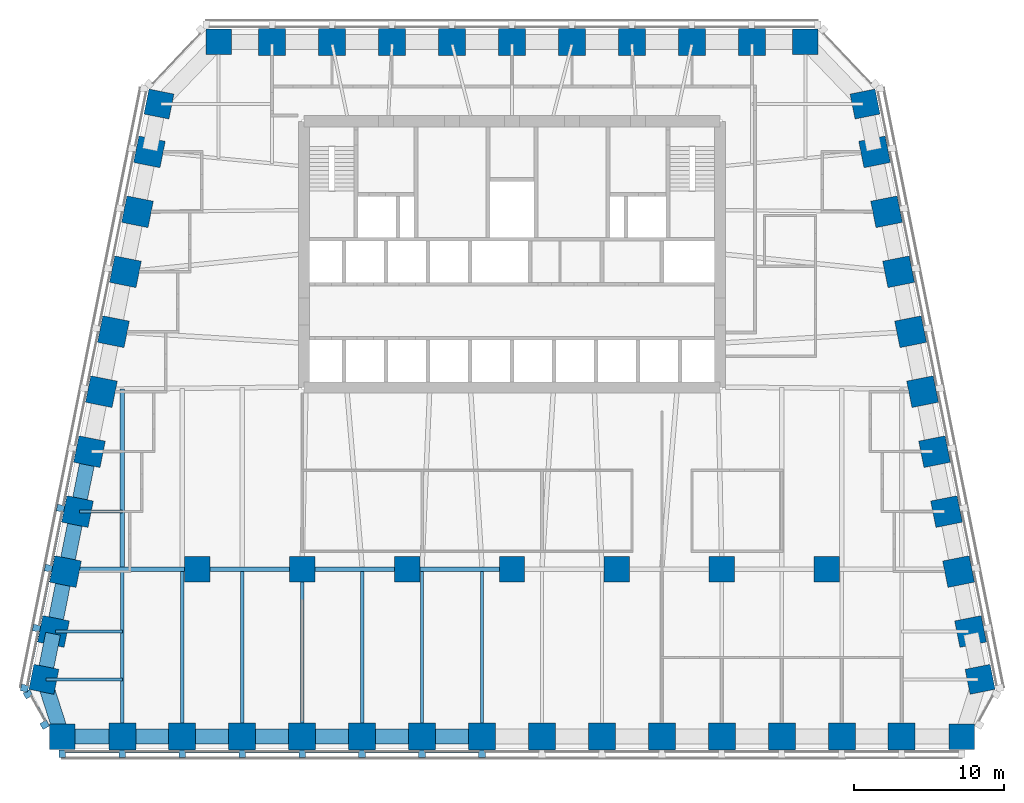
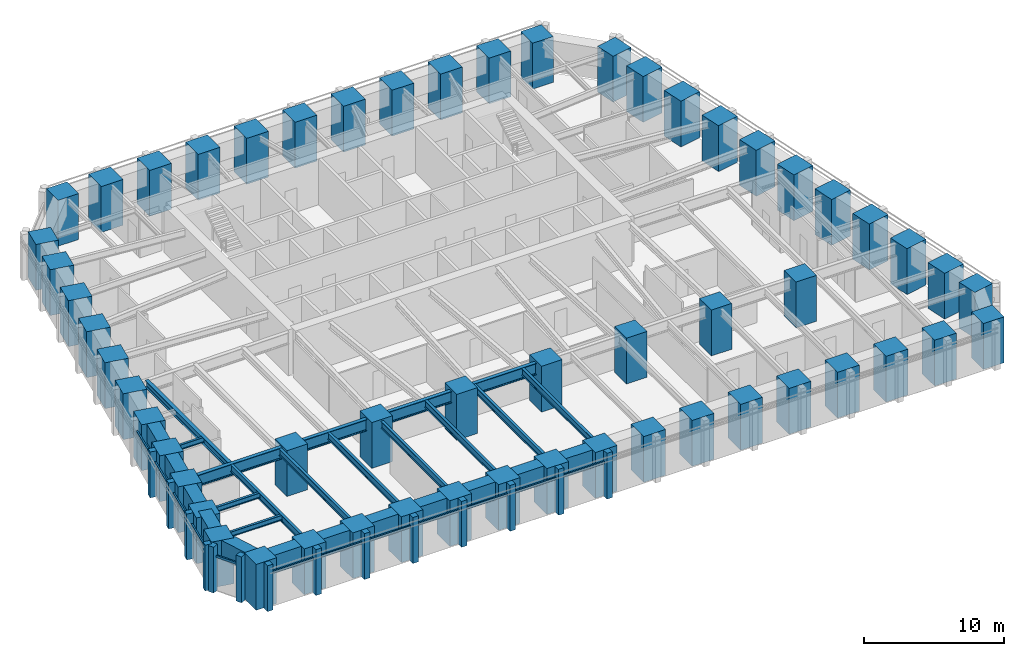
# One storey, part 1 of 10: 56 columns, 27 beams, 26 members, 3 elements without a shape of their own.
"""IFC4 building model written with IfcOpenShell, lengths in metres."""

from ifc_helpers import new_model, si_unit, direction, frame, origin, origin_2d, place, context, subcontext, project, spatial, rectangle, i_section, extrude, material, material_profile, profile_set, type_object, element, aggregate, save


model = new_model("IFC4")

# Units and contexts
model_context = context("Model", 3, precision=1e-05, world=origin(), true_north=direction((0.0, 1.0)))
body_context = subcontext(model_context, "Body", "Model", "MODEL_VIEW")
ifc_project = project(units=[si_unit("LENGTHUNIT", "METRE"), si_unit("AREAUNIT", "SQUARE_METRE"), si_unit("VOLUMEUNIT", "CUBIC_METRE"), si_unit("PLANEANGLEUNIT", "RADIAN"), si_unit("MASSUNIT", "GRAM", prefix="KILO")], contexts=[model_context])

# Site, building, storey
site_placement = place(None, origin())
site = spatial("IfcSite", under=ifc_project, at=site_placement, CompositionType="ELEMENT")
building_placement = place(site_placement, origin())
building = spatial("IfcBuilding", under=site, at=building_placement, Name="Isbrekke Arena Tower", CompositionType="ELEMENT")
storey_placement = place(building_placement, frame((0.0, 0.0, 159.0)))
storey = spatial("IfcBuildingStorey", under=building, at=storey_placement, Name="L36", CompositionType="ELEMENT", Elevation=159.0)

# Columns
ifc_material_1 = material(Name="Concrete B80 (C80/95)", Category="concrete")
ifc_material_profile_1 = material_profile(ifc_material_1, rectangle(XDim=1.699951171875, YDim=1.699951171875, at=origin_2d()), Name="RC 1700x1700")
ifc_profile_set_1 = profile_set([ifc_material_profile_1], Name="Concrete B80 (C80/95)")
column_type_1 = type_object("IfcColumnType", Name="C12 RC 1700 x 1700", PredefinedType="COLUMN", material=ifc_profile_set_1)
for number, where, z_axis, x_axis, name in (
    (1, (-21.0, -6.0, 0.0), (0.0, 0.0, 1.0), (1.0, 0.0, 0.0), "C12 I01"),
    (2, (-14.0, -6.0, 0.0), (0.0, 0.0, 1.0), (1.0, 0.0, 0.0), "C12 I02"),
    (3, (-7.0, -6.0, 0.0), (0.0, 0.0, 1.0), (1.0, 0.0, 0.0), "C12 I03"),
    (4, (0.0, -6.0, 0.0), (0.0, 0.0, 1.0), (1.0, 0.0, 0.0), "C12 I04"),
    (5, (7.0, -6.0, 0.0), (0.0, 0.0, 1.0), (1.0, 0.0, 0.0), "C12 I05"),
    (6, (14.0, -6.0, 0.0), (0.0, 0.0, 1.0), (1.0, 0.0, 0.0), "C12 I06"),
    (7, (21.0, -6.0, 0.0), (0.0, 0.0, 1.0), (1.0, 0.0, 0.0), "C12 I07"),
):
    element("IfcColumn", number, at=place(storey_placement, frame(where, z_axis=z_axis, x_axis=x_axis)), inside=storey, type_object=column_type_1, Name=name, PredefinedType="COLUMN", context=body_context, shape_type="SweptSolid", body=[
        extrude(rectangle(XDim=1.699951171875, YDim=1.699951171875, at=origin_2d()), origin(), (0.0, 0.0, 1.0), 4.0),
    ])
ifc_material_2 = material(Name="Concrete B80 (C80/95)", Category="concrete")
ifc_material_profile_2 = material_profile(ifc_material_2, rectangle(XDim=1.800048828125, YDim=1.800048828125, at=origin_2d()), Name="RC 1800x1800")
ifc_profile_set_2 = profile_set([ifc_material_profile_2], Name="Concrete B80 (C80/95)")
column_type_2 = type_object("IfcColumnType", Name="C3 RC 1800 x 1800", PredefinedType="COLUMN", material=ifc_profile_set_2)
for number, where, z_axis, x_axis, name in (
    (8, (-26.0, -17.175048828125, 0.0), (0.0, 0.0, 1.0), (1.0, 0.0, 0.0), "C3 S02"),
    (9, (-22.0, -17.175048828125, 0.0), (0.0, 0.0, 1.0), (1.0, 0.0, 0.0), "C3 S03"),
    (10, (-18.0, -17.175048828125, 0.0), (0.0, 0.0, 1.0), (1.0, 0.0, 0.0), "C3 S04"),
    (11, (-14.0, -17.175048828125, 0.0), (0.0, 0.0, 1.0), (1.0, 0.0, 0.0), "C3 S05"),
    (12, (-10.0, -17.175048828125, 0.0), (0.0, 0.0, 1.0), (1.0, 0.0, 0.0), "C3 S06"),
    (13, (-6.0, -17.175048828125, 0.0), (0.0, 0.0, 1.0), (1.0, 0.0, 0.0), "C3 S07"),
    (14, (-2.0, -17.175048828125, 0.0), (0.0, 0.0, 1.0), (1.0, 0.0, 0.0), "C3 S08"),
    (15, (2.0, -17.175048828125, 0.0), (0.0, 0.0, 1.0), (1.0, 0.0, 0.0), "C3 S09"),
    (16, (6.0, -17.175048828125, 0.0), (0.0, 0.0, 1.0), (1.0, 0.0, 0.0), "C3 S10"),
    (17, (10.0, -17.175048828125, 0.0), (0.0, 0.0, 1.0), (1.0, 0.0, 0.0), "C3 S11"),
    (18, (14.0, -17.175048828125, 0.0), (0.0, 0.0, 1.0), (1.0, 0.0, 0.0), "C3 S12"),
    (19, (18.0, -17.175048828125, 0.0), (0.0, 0.0, 1.0), (1.0, 0.0, 0.0), "C3 S13"),
    (20, (22.0, -17.175048828125, 0.0), (0.0, 0.0, 1.0), (1.0, 0.0, 0.0), "C3 S14"),
    (21, (26.0, -17.175048828125, 0.0), (0.0, 0.0, 1.0), (1.0, 0.0, 0.0), "C3 S15"),
    (22, (30.591064453125, -10.161865234375, 0.0), (0.0, 0.0, 1.0), (-0.196116135138, 0.980580675691, 0.0), "C3 E02"),
    (23, (29.791015625, -6.161865234375, 0.0), (0.0, 0.0, 1.0), (-0.196116135138, 0.980580675691, 0.0), "C3 E03"),
    (24, (28.990966796875, -2.161865234375, 0.0), (0.0, 0.0, 1.0), (-0.196116135138, 0.980580675691, 0.0), "C3 E04"),
    (25, (28.19091796875, 1.838134765625, 0.0), (0.0, 0.0, 1.0), (-0.196116135138, 0.980580675691, 0.0), "C3 E05"),
    (26, (27.39111328125, 5.838134765625, 0.0), (0.0, 0.0, 1.0), (-0.196116135138, 0.980580675691, 0.0), "C3 E06"),
    (27, (26.591064453125, 9.838134765625, 0.0), (0.0, 0.0, 1.0), (-0.196116135138, 0.980580675691, 0.0), "C3 E07"),
    (28, (25.791015625, 13.838134765625, 0.0), (0.0, 0.0, 1.0), (-0.196116135138, 0.980580675691, 0.0), "C3 E08"),
    (29, (24.990966796875, 17.838134765625, 0.0), (0.0, 0.0, 1.0), (-0.196116135138, 0.980580675691, 0.0), "C3 E09"),
    (30, (24.19091796875, 21.838134765625, 0.0), (0.0, 0.0, 1.0), (-0.196116135138, 0.980580675691, 0.0), "C3 E10"),
    (31, (16.0, 29.175048828125, 0.0), (0.0, 0.0, 1.0), (-1.0, 0.0, 0.0), "C3 N02"),
    (32, (12.0, 29.175048828125, 0.0), (0.0, 0.0, 1.0), (-1.0, 0.0, 0.0), "C3 N03"),
    (33, (8.0, 29.175048828125, 0.0), (0.0, 0.0, 1.0), (-1.0, 0.0, 0.0), "C3 N04"),
    (34, (4.0, 29.175048828125, 0.0), (0.0, 0.0, 1.0), (-1.0, 0.0, 0.0), "C3 N05"),
    (35, (0.0, 29.175048828125, 0.0), (0.0, 0.0, 1.0), (-1.0, 0.0, 0.0), "C3 N06"),
    (36, (-4.0, 29.175048828125, 0.0), (0.0, 0.0, 1.0), (-1.0, 0.0, 0.0), "C3 N07"),
    (37, (-8.0, 29.175048828125, 0.0), (0.0, 0.0, 1.0), (-1.0, 0.0, 0.0), "C3 N08"),
    (38, (-12.0, 29.175048828125, 0.0), (0.0, 0.0, 1.0), (-1.0, 0.0, 0.0), "C3 N09"),
    (39, (-16.0, 29.175048828125, 0.0), (0.0, 0.0, 1.0), (-1.0, 0.0, 0.0), "C3 N10"),
    (40, (-24.19091796875, 21.838134765625, 0.0), (0.0, 0.0, 1.0), (-0.196116135138, -0.980580675691, 0.0), "C3 W02"),
    (41, (-24.990966796875, 17.838134765625, 0.0), (0.0, 0.0, 1.0), (-0.196116135138, -0.980580675691, 0.0), "C3 W03"),
    (42, (-25.791015625, 13.838134765625, 0.0), (0.0, 0.0, 1.0), (-0.196116135138, -0.980580675691, 0.0), "C3 W04"),
    (43, (-26.591064453125, 9.838134765625, 0.0), (0.0, 0.0, 1.0), (-0.196116135138, -0.980580675691, 0.0), "C3 W05"),
    (44, (-27.39111328125, 5.838134765625, 0.0), (0.0, 0.0, 1.0), (-0.196116135138, -0.980580675691, 0.0), "C3 W06"),
    (45, (-28.19091796875, 1.838134765625, 0.0), (0.0, 0.0, 1.0), (-0.196116135138, -0.980580675691, 0.0), "C3 W07"),
    (46, (-28.990966796875, -2.161865234375, 0.0), (0.0, 0.0, 1.0), (-0.196116135138, -0.980580675691, 0.0), "C3 W08"),
    (47, (-29.791015625, -6.161865234375, 0.0), (0.0, 0.0, 1.0), (-0.196116135138, -0.980580675691, 0.0), "C3 W09"),
    (48, (-30.591064453125, -10.161865234375, 0.0), (0.0, 0.0, 1.0), (-0.196116135138, -0.980580675691, 0.0), "C3 W10"),
):
    element("IfcColumn", number, at=place(storey_placement, frame(where, z_axis=z_axis, x_axis=x_axis)), inside=storey, type_object=column_type_2, Name=name, PredefinedType="COLUMN", context=body_context, shape_type="SweptSolid", body=[
        extrude(rectangle(XDim=1.800048828125, YDim=1.800048828125, at=origin_2d()), origin(), (0.0, 0.0, 1.0), 4.0),
    ])
ifc_material_3 = material(Name="Concrete B80 (C80/95)", Category="concrete")
ifc_material_profile_3 = material_profile(ifc_material_3, rectangle(XDim=1.699951171875, YDim=1.699951171875, at=origin_2d()), Name="RC 1700x1700")
ifc_profile_set_3 = profile_set([ifc_material_profile_3], Name="Concrete B80 (C80/95)")
column_type_3 = type_object("IfcColumnType", Name="C7 RC 1700 x 1700", PredefinedType="COLUMN", material=ifc_profile_set_3)
for number, where, z_axis, x_axis, name in (
    (49, (-30.0, -17.175048828125, 0.0), (0.0, 0.0, 1.0), (1.0, 0.0, 0.0), "C7 S01"),
    (50, (30.0, -17.175048828125, 0.0), (0.0, 0.0, 1.0), (1.0, 0.0, 0.0), "C7 S16"),
    (51, (31.229248046875, -13.352783203125, 0.0), (0.0, 0.0, 1.0), (-0.196116135138, 0.980580675691, 0.0), "C7 E01"),
    (52, (23.552734375, 25.029296875, 0.0), (0.0, 0.0, 1.0), (-0.196116135138, 0.980580675691, 0.0), "C7 E11"),
    (53, (19.574951171875, 29.175048828125, 0.0), (0.0, 0.0, 1.0), (-1.0, 0.0, 0.0), "C7 N01"),
    (54, (-19.574951171875, 29.175048828125, 0.0), (0.0, 0.0, 1.0), (-1.0, 0.0, 0.0), "C7 N11"),
    (55, (-23.552734375, 25.029296875, 0.0), (0.0, 0.0, 1.0), (-0.196116135138, -0.980580675691, 0.0), "C7 W01"),
    (56, (-31.229248046875, -13.352783203125, 0.0), (0.0, 0.0, 1.0), (-0.196116135138, -0.980580675691, 0.0), "C7 W11"),
):
    element("IfcColumn", number, at=place(storey_placement, frame(where, z_axis=z_axis, x_axis=x_axis)), inside=storey, type_object=column_type_3, Name=name, PredefinedType="COLUMN", context=body_context, shape_type="SweptSolid", body=[
        extrude(rectangle(XDim=1.699951171875, YDim=1.699951171875, at=origin_2d()), origin(), (0.0, 0.0, 1.0), 4.0),
    ])

# Beams
ifc_material_4 = material(Name="Steel S355", Category="steel")
ifc_material_profile_4 = material_profile(ifc_material_4, i_section(OverallWidth=0.219970703125, OverallDepth=0.60009765625, WebThickness=0.011962890625, FlangeThickness=0.01904296875, FilletRadius=0.02392578125, at=origin_2d()), Name="IPE 600")
ifc_profile_set_4 = profile_set([ifc_material_profile_4], Name="Steel S355")
beam_type_1 = type_object("IfcBeamType", Name="B1 IPE 600", PredefinedType="BEAM", material=ifc_profile_set_4)
for number, where, z_axis, x_axis, name in (
    (57, (-26.0, -17.02490234375, 3.550048828125), (0.0, 1.0, 0.0), (-1.0, 0.0, 0.0), "B1 beam S-S02 L36"),
    (58, (-22.0, -17.02490234375, 3.550048828125), (0.0, 1.0, 0.0), (-1.0, 0.0, 0.0), "B1 beam S-S03 L36"),
    (59, (-18.0, -17.02490234375, 3.550048828125), (0.0, 1.0, 0.0), (-1.0, 0.0, 0.0), "B1 beam S-S04 L36"),
):
    element("IfcBeam", number, at=place(storey_placement, frame(where, z_axis=z_axis, x_axis=x_axis)), inside=storey, type_object=beam_type_1, Name=name, PredefinedType="BEAM", context=body_context, shape_type="SweptSolid", body=[
        extrude(i_section(OverallWidth=0.219970703125, OverallDepth=0.60009765625, WebThickness=0.011962890625, FlangeThickness=0.01904296875, FilletRadius=0.02392578125, at=origin_2d()), origin(), (0.0, 0.0, 1.0), 10.8740234375),
    ])
beam_1_placement = place(storey_placement, frame((-14.0, -17.02490234375, 3.550048828125), z_axis=(0.0, 1.0, 0.0), x_axis=(-1.0, 0.0, 0.0)))
element("IfcBeam", 60, at=beam_1_placement, inside=storey, type_object=beam_type_1, Name="B1 beam S-S05 L36", PredefinedType="BEAM", context=body_context, shape_type="SweptSolid", body=[
    extrude(i_section(OverallWidth=0.219970703125, OverallDepth=0.60009765625, WebThickness=0.011962890625, FlangeThickness=0.01904296875, FilletRadius=0.02392578125, at=origin_2d()), origin(), (0.0, 0.0, 1.0), 10.875),
])
for number, where, z_axis, x_axis, name in (
    (61, (-10.0, -17.02490234375, 3.550048828125), (0.0, 1.0, 0.0), (-1.0, 0.0, 0.0), "B1 beam S-S06 L36"),
    (62, (-6.0, -17.02490234375, 3.550048828125), (0.0, 1.0, 0.0), (-1.0, 0.0, 0.0), "B1 beam S-S07 L36"),
    (63, (-2.0, -17.02490234375, 3.550048828125), (0.0, 1.0, 0.0), (-1.0, 0.0, 0.0), "B1 beam S-S08 L36"),
):
    element("IfcBeam", number, at=place(storey_placement, frame(where, z_axis=z_axis, x_axis=x_axis)), inside=storey, type_object=beam_type_1, Name=name, PredefinedType="BEAM", context=body_context, shape_type="SweptSolid", body=[
        extrude(i_section(OverallWidth=0.219970703125, OverallDepth=0.60009765625, WebThickness=0.011962890625, FlangeThickness=0.01904296875, FilletRadius=0.02392578125, at=origin_2d()), origin(), (0.0, 0.0, 1.0), 10.8740234375),
    ])
ifc_material_5 = material(Name="Steel S355", Category="steel")
ifc_material_profile_5 = material_profile(ifc_material_5, i_section(OverallWidth=0.18994140625, OverallDepth=0.449951171875, WebThickness=0.009521484375, FlangeThickness=0.0146484375, FilletRadius=0.02099609375, at=origin_2d()), Name="IPE 450")
ifc_profile_set_5 = profile_set([ifc_material_profile_5], Name="Steel S355")
beam_type_2 = type_object("IfcBeamType", Name="B2 IPE 450", PredefinedType="BEAM", material=ifc_profile_set_5)
beam_2_placement = place(storey_placement, frame((-28.841064453125, -2.161865234375, 3.625), z_axis=(1.0, 0.0, 0.0), x_axis=(0.0, 1.0, 0.0)))
element("IfcBeam", 64, at=beam_2_placement, inside=storey, type_object=beam_type_2, Name="B2 beam E-W08 L36", PredefinedType="BEAM", context=body_context, shape_type="SweptSolid", body=[
    extrude(i_section(OverallWidth=0.18994140625, OverallDepth=0.449951171875, WebThickness=0.009521484375, FlangeThickness=0.0146484375, FilletRadius=0.02099609375, at=origin_2d()), origin(), (0.0, 0.0, 1.0), 2.841064453125),
])
beam_3_placement = place(storey_placement, frame((-30.44091796875, -10.161865234375, 3.625), z_axis=(1.0, 0.0, 0.0), x_axis=(0.0, 1.0, 0.0)))
element("IfcBeam", 65, at=beam_3_placement, inside=storey, type_object=beam_type_2, Name="B2 beam E-W10 L36", PredefinedType="BEAM", context=body_context, shape_type="SweptSolid", body=[
    extrude(i_section(OverallWidth=0.18994140625, OverallDepth=0.449951171875, WebThickness=0.009521484375, FlangeThickness=0.0146484375, FilletRadius=0.02099609375, at=origin_2d()), origin(), (0.0, 0.0, 1.0), 4.44091796875),
])
beam_4_placement = place(storey_placement, frame((-31.079345703125, -13.352783203125, 3.625), z_axis=(1.0, 0.0, 0.0), x_axis=(0.0, 1.0, 0.0)))
element("IfcBeam", 66, at=beam_4_placement, inside=storey, type_object=beam_type_2, Name="B2 beam E-W11 L36", PredefinedType="BEAM", context=body_context, shape_type="SweptSolid", body=[
    extrude(i_section(OverallWidth=0.18994140625, OverallDepth=0.449951171875, WebThickness=0.009521484375, FlangeThickness=0.0146484375, FilletRadius=0.02099609375, at=origin_2d()), origin(), (0.0, 0.0, 1.0), 5.079345703125),
])
ifc_material_6 = material(Name="Steel S355", Category="steel")
ifc_material_profile_6 = material_profile(ifc_material_6, i_section(OverallWidth=0.300048828125, OverallDepth=0.60009765625, WebThickness=0.015380859375, FlangeThickness=0.030029296875, FilletRadius=0.027099609375, at=origin_2d()), Name="HEB 600")
ifc_profile_set_6 = profile_set([ifc_material_profile_6], Name="Steel S355")
beam_type_3 = type_object("IfcBeamType", Name="B7 HEB 600", PredefinedType="BEAM", material=ifc_profile_set_6)
beam_5_placement = place(storey_placement, frame((-26.0, -5.84912109375, 3.550048828125), z_axis=(0.0, 1.0, 0.0), x_axis=(-1.0, 0.0, 0.0)))
element("IfcBeam", 67, at=beam_5_placement, inside=storey, type_object=beam_type_3, Name="B7 beam C-M01 L36", PredefinedType="BEAM", context=body_context, shape_type="SweptSolid", body=[
    extrude(i_section(OverallWidth=0.300048828125, OverallDepth=0.60009765625, WebThickness=0.015380859375, FlangeThickness=0.030029296875, FilletRadius=0.027099609375, at=origin_2d()), origin(), (0.0, 0.0, 1.0), 11.864990234375),
])

# Curtain wall, members
ifc_material_7 = material(Name="Glazed aluminium curtain wall", Category="aluminium")
curtain_wall_type = type_object("IfcCurtainWallType", Name="CWM TOWER CURTAIN WALL MID ZONE", PredefinedType="USERDEFINED", material=ifc_material_7)
curtain_wall_1_placement = place(storey_placement, origin())
curtain_wall_1 = element("IfcCurtainWall", 68, at=curtain_wall_1_placement, inside=storey, type_object=curtain_wall_type, Name="CWM curtain wall L36-S", ObjectType="TOWER CURTAIN WALL MID ZONE", PredefinedType="USERDEFINED")
ifc_material_8 = material(Name="Aluminium mullion, pale brick slip cladding", Category="masonry")
ifc_material_profile_7 = material_profile(ifc_material_8, rectangle(XDim=0.449951171875, YDim=0.5, at=origin_2d()), Name="PIER 450X500")
ifc_profile_set_7 = profile_set([ifc_material_profile_7], Name="Aluminium mullion, pale brick slip cladding")
member_type_1 = type_object("IfcMemberType", Name="CWM-M PIER MULLION 450 x 500", PredefinedType="MULLION", material=ifc_profile_set_7)
member_1_placement = place(storey_placement, frame((-30.0, -18.324951171875, 0.0), z_axis=(0.0, 0.0, 1.0), x_axis=(1.0, 0.0, 0.0)))
member_1 = element("IfcMember", 69, at=member_1_placement, type_object=member_type_1, Name="CWM-M mullion 1", PredefinedType="MULLION", context=body_context, shape_type="SweptSolid", body=[
    extrude(rectangle(XDim=0.449951171875, YDim=0.5, at=origin_2d()), origin(), (0.0, 0.0, 1.0), 4.0),
])
member_2_placement = place(storey_placement, frame((-26.0, -18.324951171875, 0.0), z_axis=(0.0, 0.0, 1.0), x_axis=(1.0, 0.0, 0.0)))
member_2 = element("IfcMember", 70, at=member_2_placement, type_object=member_type_1, Name="CWM-M mullion 2", PredefinedType="MULLION", context=body_context, shape_type="SweptSolid", body=[
    extrude(rectangle(XDim=0.449951171875, YDim=0.5, at=origin_2d()), origin(), (0.0, 0.0, 1.0), 4.0),
])
member_3_placement = place(storey_placement, frame((-22.0, -18.324951171875, 0.0), z_axis=(0.0, 0.0, 1.0), x_axis=(1.0, 0.0, 0.0)))
member_3 = element("IfcMember", 71, at=member_3_placement, type_object=member_type_1, Name="CWM-M mullion 3", PredefinedType="MULLION", context=body_context, shape_type="SweptSolid", body=[
    extrude(rectangle(XDim=0.449951171875, YDim=0.5, at=origin_2d()), origin(), (0.0, 0.0, 1.0), 4.0),
])
member_4_placement = place(storey_placement, frame((-18.0, -18.324951171875, 0.0), z_axis=(0.0, 0.0, 1.0), x_axis=(1.0, 0.0, 0.0)))
member_4 = element("IfcMember", 72, at=member_4_placement, type_object=member_type_1, Name="CWM-M mullion 4", PredefinedType="MULLION", context=body_context, shape_type="SweptSolid", body=[
    extrude(rectangle(XDim=0.449951171875, YDim=0.5, at=origin_2d()), origin(), (0.0, 0.0, 1.0), 4.0),
])
member_5_placement = place(storey_placement, frame((-14.0, -18.324951171875, 0.0), z_axis=(0.0, 0.0, 1.0), x_axis=(1.0, 0.0, 0.0)))
member_5 = element("IfcMember", 73, at=member_5_placement, type_object=member_type_1, Name="CWM-M mullion 5", PredefinedType="MULLION", context=body_context, shape_type="SweptSolid", body=[
    extrude(rectangle(XDim=0.449951171875, YDim=0.5, at=origin_2d()), origin(), (0.0, 0.0, 1.0), 4.0),
])
member_6_placement = place(storey_placement, frame((-10.0, -18.324951171875, 0.0), z_axis=(0.0, 0.0, 1.0), x_axis=(1.0, 0.0, 0.0)))
member_6 = element("IfcMember", 74, at=member_6_placement, type_object=member_type_1, Name="CWM-M mullion 6", PredefinedType="MULLION", context=body_context, shape_type="SweptSolid", body=[
    extrude(rectangle(XDim=0.449951171875, YDim=0.5, at=origin_2d()), origin(), (0.0, 0.0, 1.0), 4.0),
])
member_7_placement = place(storey_placement, frame((-6.0, -18.324951171875, 0.0), z_axis=(0.0, 0.0, 1.0), x_axis=(1.0, 0.0, 0.0)))
member_7 = element("IfcMember", 75, at=member_7_placement, type_object=member_type_1, Name="CWM-M mullion 7", PredefinedType="MULLION", context=body_context, shape_type="SweptSolid", body=[
    extrude(rectangle(XDim=0.449951171875, YDim=0.5, at=origin_2d()), origin(), (0.0, 0.0, 1.0), 4.0),
])
member_8_placement = place(storey_placement, frame((-2.0, -18.324951171875, 0.0), z_axis=(0.0, 0.0, 1.0), x_axis=(1.0, 0.0, 0.0)))
member_8 = element("IfcMember", 76, at=member_8_placement, type_object=member_type_1, Name="CWM-M mullion 8", PredefinedType="MULLION", context=body_context, shape_type="SweptSolid", body=[
    extrude(rectangle(XDim=0.449951171875, YDim=0.5, at=origin_2d()), origin(), (0.0, 0.0, 1.0), 4.0),
])

curtain_wall_2_placement = place(storey_placement, origin())
curtain_wall_2 = element("IfcCurtainWall", 77, at=curtain_wall_2_placement, inside=storey, type_object=curtain_wall_type, Name="CWM curtain wall L36-W", ObjectType="TOWER CURTAIN WALL MID ZONE", PredefinedType="USERDEFINED")
member_9_placement = place(storey_placement, frame((-30.11865234375, -1.936279296875, 0.0), z_axis=(0.0, 0.0, 1.0), x_axis=(-0.196116135138, -0.980580675691, 0.0)))
member_9 = element("IfcMember", 78, at=member_9_placement, type_object=member_type_1, Name="CWM-M mullion 8", PredefinedType="MULLION", context=body_context, shape_type="SweptSolid", body=[
    extrude(rectangle(XDim=0.449951171875, YDim=0.5, at=origin_2d()), origin(), (0.0, 0.0, 1.0), 4.0),
])
member_10_placement = place(storey_placement, frame((-30.918701171875, -5.936279296875, 0.0), z_axis=(0.0, 0.0, 1.0), x_axis=(-0.196116135138, -0.980580675691, 0.0)))
member_10 = element("IfcMember", 79, at=member_10_placement, type_object=member_type_1, Name="CWM-M mullion 9", PredefinedType="MULLION", context=body_context, shape_type="SweptSolid", body=[
    extrude(rectangle(XDim=0.449951171875, YDim=0.5, at=origin_2d()), origin(), (0.0, 0.0, 1.0), 4.0),
])
member_11_placement = place(storey_placement, frame((-31.71875, -9.936279296875, 0.0), z_axis=(0.0, 0.0, 1.0), x_axis=(-0.196116135138, -0.980580675691, 0.0)))
member_11 = element("IfcMember", 80, at=member_11_placement, type_object=member_type_1, Name="CWM-M mullion 10", PredefinedType="MULLION", context=body_context, shape_type="SweptSolid", body=[
    extrude(rectangle(XDim=0.449951171875, YDim=0.5, at=origin_2d()), origin(), (0.0, 0.0, 1.0), 4.0),
])
member_12_placement = place(storey_placement, frame((-32.518798828125, -13.936279296875, 0.0), z_axis=(0.0, 0.0, 1.0), x_axis=(-0.196116135138, -0.980580675691, 0.0)))
member_12 = element("IfcMember", 81, at=member_12_placement, type_object=member_type_1, Name="CWM-M mullion 11", PredefinedType="MULLION", context=body_context, shape_type="SweptSolid", body=[
    extrude(rectangle(XDim=0.449951171875, YDim=0.5, at=origin_2d()), origin(), (0.0, 0.0, 1.0), 4.0),
])

curtain_wall_3_placement = place(storey_placement, origin())
curtain_wall_3 = element("IfcCurtainWall", 82, at=curtain_wall_3_placement, inside=storey, type_object=curtain_wall_type, Name="CWM curtain wall L36-WS", ObjectType="TOWER CURTAIN WALL MID ZONE", PredefinedType="USERDEFINED")
member_13_placement = place(storey_placement, frame((-32.29638671875, -14.34326171875, 0.0), z_axis=(0.0, 0.0, 1.0), x_axis=(0.481918749773, -0.876215908676, 0.0)))
member_13 = element("IfcMember", 83, at=member_13_placement, type_object=member_type_1, Name="CWM-M mullion 1", PredefinedType="MULLION", context=body_context, shape_type="SweptSolid", body=[
    extrude(rectangle(XDim=0.449951171875, YDim=0.5, at=origin_2d()), origin(), (0.0, 0.0, 1.0), 4.0),
])
member_14_placement = place(storey_placement, frame((-31.174560546875, -16.38330078125, 0.0), z_axis=(0.0, 0.0, 1.0), x_axis=(0.481918749773, -0.876215908676, 0.0)))
member_14 = element("IfcMember", 84, at=member_14_placement, type_object=member_type_1, Name="CWM-M mullion 2", PredefinedType="MULLION", context=body_context, shape_type="SweptSolid", body=[
    extrude(rectangle(XDim=0.449951171875, YDim=0.5, at=origin_2d()), origin(), (0.0, 0.0, 1.0), 4.0),
])

# Member
ifc_material_9 = material(Name="Aluminium transom", Category="aluminium")
ifc_material_profile_8 = material_profile(ifc_material_9, rectangle(XDim=0.1201171875, YDim=0.199951171875, at=origin_2d()), Name="TRANSOM 120X200")
ifc_profile_set_8 = profile_set([ifc_material_profile_8], Name="Aluminium transom")
member_type_2 = type_object("IfcMemberType", Name="CWM-T TRANSOM 120 x 200", PredefinedType="USERDEFINED", material=ifc_profile_set_8)
member_15_placement = place(storey_placement, frame((-29.77490234375, -18.175048828125, 3.0), z_axis=(1.0, 0.0, 0.0), x_axis=(0.0, 1.0, 0.0)))
member_15 = element("IfcMember", 85, at=member_15_placement, type_object=member_type_2, Name="CWM-T transom 1", ObjectType="TRANSOM", PredefinedType="USERDEFINED", context=body_context, shape_type="SweptSolid", body=[
    extrude(rectangle(XDim=0.1201171875, YDim=0.199951171875, at=origin_2d()), origin(), (0.0, 0.0, 1.0), 3.5498046875),
])

member_16_placement = place(storey_placement, frame((-25.77490234375, -18.175048828125, 3.0), z_axis=(1.0, 0.0, 0.0), x_axis=(0.0, 1.0, 0.0)))
member_16 = element("IfcMember", 86, at=member_16_placement, type_object=member_type_2, Name="CWM-T transom 2", ObjectType="TRANSOM", PredefinedType="USERDEFINED", context=body_context, shape_type="SweptSolid", body=[
    extrude(rectangle(XDim=0.1201171875, YDim=0.199951171875, at=origin_2d()), origin(), (0.0, 0.0, 1.0), 3.5498046875),
])

member_17_placement = place(storey_placement, frame((-21.77490234375, -18.175048828125, 3.0), z_axis=(1.0, 0.0, 0.0), x_axis=(0.0, 1.0, 0.0)))
member_17 = element("IfcMember", 87, at=member_17_placement, type_object=member_type_2, Name="CWM-T transom 3", ObjectType="TRANSOM", PredefinedType="USERDEFINED", context=body_context, shape_type="SweptSolid", body=[
    extrude(rectangle(XDim=0.1201171875, YDim=0.199951171875, at=origin_2d()), origin(), (0.0, 0.0, 1.0), 3.5498046875),
])

member_18_placement = place(storey_placement, frame((-17.77490234375, -18.175048828125, 3.0), z_axis=(1.0, 0.0, 0.0), x_axis=(0.0, 1.0, 0.0)))
member_18 = element("IfcMember", 88, at=member_18_placement, type_object=member_type_2, Name="CWM-T transom 4", ObjectType="TRANSOM", PredefinedType="USERDEFINED", context=body_context, shape_type="SweptSolid", body=[
    extrude(rectangle(XDim=0.1201171875, YDim=0.199951171875, at=origin_2d()), origin(), (0.0, 0.0, 1.0), 3.5498046875),
])

member_19_placement = place(storey_placement, frame((-13.77490234375, -18.175048828125, 3.0), z_axis=(1.0, 0.0, 0.0), x_axis=(0.0, 1.0, 0.0)))
member_19 = element("IfcMember", 89, at=member_19_placement, type_object=member_type_2, Name="CWM-T transom 5", ObjectType="TRANSOM", PredefinedType="USERDEFINED", context=body_context, shape_type="SweptSolid", body=[
    extrude(rectangle(XDim=0.1201171875, YDim=0.199951171875, at=origin_2d()), origin(), (0.0, 0.0, 1.0), 3.5498046875),
])

member_20_placement = place(storey_placement, frame((-9.77490234375, -18.175048828125, 3.0), z_axis=(1.0, 0.0, 0.0), x_axis=(0.0, 1.0, 0.0)))
member_20 = element("IfcMember", 90, at=member_20_placement, type_object=member_type_2, Name="CWM-T transom 6", ObjectType="TRANSOM", PredefinedType="USERDEFINED", context=body_context, shape_type="SweptSolid", body=[
    extrude(rectangle(XDim=0.1201171875, YDim=0.199951171875, at=origin_2d()), origin(), (0.0, 0.0, 1.0), 3.5498046875),
])

member_21_placement = place(storey_placement, frame((-5.77490234375, -18.175048828125, 3.0), z_axis=(1.0, 0.0, 0.0), x_axis=(0.0, 1.0, 0.0)))
member_21 = element("IfcMember", 91, at=member_21_placement, type_object=member_type_2, Name="CWM-T transom 7", ObjectType="TRANSOM", PredefinedType="USERDEFINED", context=body_context, shape_type="SweptSolid", body=[
    extrude(rectangle(XDim=0.1201171875, YDim=0.199951171875, at=origin_2d()), origin(), (0.0, 0.0, 1.0), 3.5498046875),
])

aggregate(curtain_wall_1, [member_1, member_2, member_3, member_4, member_5, member_6, member_7, member_8, member_15, member_16, member_17, member_18, member_19, member_20, member_21])

member_22_placement = place(storey_placement, frame((-29.2158203125, 1.813720703125, 3.0), z_axis=(-0.196090262229, -0.980585849918, 0.0), x_axis=(0.980585849918, -0.196090262229, 0.0)))
member_22 = element("IfcMember", 92, at=member_22_placement, type_object=member_type_2, Name="CWM-T transom 7", ObjectType="TRANSOM", PredefinedType="USERDEFINED", context=body_context, shape_type="SweptSolid", body=[
    extrude(rectangle(XDim=0.1201171875, YDim=0.199951171875, at=origin_2d()), origin(), (0.0, 0.0, 1.0), 3.62939453125),
])

member_23_placement = place(storey_placement, frame((-30.015625, -2.186279296875, 3.0), z_axis=(-0.196154943734, -0.980572913173, 0.0), x_axis=(0.980572913173, -0.196154943734, 0.0)))
member_23 = element("IfcMember", 93, at=member_23_placement, type_object=member_type_2, Name="CWM-T transom 8", ObjectType="TRANSOM", PredefinedType="USERDEFINED", context=body_context, shape_type="SweptSolid", body=[
    extrude(rectangle(XDim=0.1201171875, YDim=0.199951171875, at=origin_2d()), origin(), (0.0, 0.0, 1.0), 3.62939453125),
])

member_24_placement = place(storey_placement, frame((-30.815673828125, -6.186279296875, 3.0), z_axis=(-0.196154943734, -0.980572913173, 0.0), x_axis=(0.980572913173, -0.196154943734, 0.0)))
member_24 = element("IfcMember", 94, at=member_24_placement, type_object=member_type_2, Name="CWM-T transom 9", ObjectType="TRANSOM", PredefinedType="USERDEFINED", context=body_context, shape_type="SweptSolid", body=[
    extrude(rectangle(XDim=0.1201171875, YDim=0.199951171875, at=origin_2d()), origin(), (0.0, 0.0, 1.0), 3.62939453125),
])

member_25_placement = place(storey_placement, frame((-31.61572265625, -10.186279296875, 3.0), z_axis=(-0.196090262229, -0.980585849918, 0.0), x_axis=(0.980585849918, -0.196090262229, 0.0)))
member_25 = element("IfcMember", 95, at=member_25_placement, type_object=member_type_2, Name="CWM-T transom 10", ObjectType="TRANSOM", PredefinedType="USERDEFINED", context=body_context, shape_type="SweptSolid", body=[
    extrude(rectangle(XDim=0.1201171875, YDim=0.199951171875, at=origin_2d()), origin(), (0.0, 0.0, 1.0), 3.62939453125),
])

aggregate(curtain_wall_2, [member_9, member_10, member_11, member_12, member_22, member_23, member_24, member_25])

member_26_placement = place(storey_placement, frame((-32.056640625, -14.46826171875, 3.0), z_axis=(0.481918749772, -0.876215908677, 0.0), x_axis=(0.876215908677, 0.481918749772, 0.0)))
member_26 = element("IfcMember", 96, at=member_26_placement, type_object=member_type_2, Name="CWM-T transom 1", ObjectType="TRANSOM", PredefinedType="USERDEFINED", context=body_context, shape_type="SweptSolid", body=[
    extrude(rectangle(XDim=0.1201171875, YDim=0.199951171875, at=origin_2d()), origin(), (0.0, 0.0, 1.0), 1.8779296875),
])

aggregate(curtain_wall_3, [member_13, member_14, member_26])

# Beams
ifc_material_10 = material(Name="Steel S355", Category="steel")
ifc_material_profile_9 = material_profile(ifc_material_10, i_section(OverallWidth=0.302001953125, OverallDepth=1.008056640625, WebThickness=0.02099609375, FlangeThickness=0.0400390625, FilletRadius=0.030029296875, at=origin_2d()), Name="HEM 1000")
ifc_profile_set_9 = profile_set([ifc_material_profile_9], Name="Steel S355")
beam_type_4 = type_object("IfcBeamType", Name="G1 HEM 1000", PredefinedType="BEAM", material=ifc_profile_set_9)
beam_6_placement = place(storey_placement, frame((-29.791015625, -6.0, 3.345947265625), z_axis=(1.0, 0.0, 0.0), x_axis=(0.0, 1.0, 0.0)))
element("IfcBeam", 97, at=beam_6_placement, inside=storey, type_object=beam_type_4, Name="G1 beam G1-01 L36", PredefinedType="BEAM", context=body_context, shape_type="SweptSolid", body=[
    extrude(i_section(OverallWidth=0.302001953125, OverallDepth=1.008056640625, WebThickness=0.02099609375, FlangeThickness=0.0400390625, FilletRadius=0.030029296875, at=origin_2d()), origin(), (0.0, 0.0, 1.0), 8.64111328125),
])
for number, where, z_axis, x_axis, name in (
    (98, (-20.85009765625, -6.0, 3.345947265625), (1.0, 0.0, 0.0), (0.0, 1.0, 0.0), "G1 beam G1-02 L36"),
    (99, (-13.85009765625, -6.0, 3.345947265625), (1.0, 0.0, 0.0), (0.0, 1.0, 0.0), "G1 beam G1-03 L36"),
    (100, (-6.85009765625, -6.0, 3.345947265625), (1.0, 0.0, 0.0), (0.0, 1.0, 0.0), "G1 beam G1-04 L36"),
):
    element("IfcBeam", number, at=place(storey_placement, frame(where, z_axis=z_axis, x_axis=x_axis)), inside=storey, type_object=beam_type_4, Name=name, PredefinedType="BEAM", context=body_context, shape_type="SweptSolid", body=[
        extrude(i_section(OverallWidth=0.302001953125, OverallDepth=1.008056640625, WebThickness=0.02099609375, FlangeThickness=0.0400390625, FilletRadius=0.030029296875, at=origin_2d()), origin(), (0.0, 0.0, 1.0), 6.7001953125),
    ])
ifc_material_11 = material(Name="Concrete B80 (C80/95)", Category="concrete")
ifc_material_profile_10 = material_profile(ifc_material_11, rectangle(XDim=1.0, YDim=1.60009765625, at=origin_2d()), Name="RC 1000x1600")
ifc_profile_set_10 = profile_set([ifc_material_profile_10], Name="Concrete B80 (C80/95)")
beam_type_5 = type_object("IfcBeamType", Name="SB2 RC 1000 x 1600", PredefinedType="SPANDREL", material=ifc_profile_set_10)
for number, where, z_axis, x_axis, name in (
    (101, (-29.85009765625, -17.175048828125, 3.199951171875), (1.0, 0.0, 0.0), (0.0, 1.0, 0.0), "SB2 spandrel S01-S02 L36"),
    (102, (-25.85009765625, -17.175048828125, 3.199951171875), (1.0, 0.0, 0.0), (0.0, 1.0, 0.0), "SB2 spandrel S02-S03 L36"),
    (103, (-21.85009765625, -17.175048828125, 3.199951171875), (1.0, 0.0, 0.0), (0.0, 1.0, 0.0), "SB2 spandrel S03-S04 L36"),
    (104, (-17.85009765625, -17.175048828125, 3.199951171875), (1.0, 0.0, 0.0), (0.0, 1.0, 0.0), "SB2 spandrel S04-S05 L36"),
    (105, (-13.85009765625, -17.175048828125, 3.199951171875), (1.0, 0.0, 0.0), (0.0, 1.0, 0.0), "SB2 spandrel S05-S06 L36"),
    (106, (-9.85009765625, -17.175048828125, 3.199951171875), (1.0, 0.0, 0.0), (0.0, 1.0, 0.0), "SB2 spandrel S06-S07 L36"),
    (107, (-5.85009765625, -17.175048828125, 3.199951171875), (1.0, 0.0, 0.0), (0.0, 1.0, 0.0), "SB2 spandrel S07-S08 L36"),
):
    element("IfcBeam", number, at=place(storey_placement, frame(where, z_axis=z_axis, x_axis=x_axis)), inside=storey, type_object=beam_type_5, Name=name, PredefinedType="SPANDREL", context=body_context, shape_type="SweptSolid", body=[
        extrude(rectangle(XDim=1.0, YDim=1.60009765625, at=origin_2d()), origin(), (0.0, 0.0, 1.0), 3.7001953125),
    ])
for number, where, z_axis, x_axis, name in (
    (108, (-28.220458984375, 1.691162109375, 3.199951171875), (-0.196128558387, -0.980578190959, 0.0), (0.980578190959, -0.196128558387, 0.0), "SB2 spandrel W07-W08 L36"),
    (109, (-29.0205078125, -2.308837890625, 3.199951171875), (-0.196128558387, -0.980578190959, 0.0), (0.980578190959, -0.196128558387, 0.0), "SB2 spandrel W08-W09 L36"),
):
    element("IfcBeam", number, at=place(storey_placement, frame(where, z_axis=z_axis, x_axis=x_axis)), inside=storey, type_object=beam_type_5, Name=name, PredefinedType="SPANDREL", context=body_context, shape_type="SweptSolid", body=[
        extrude(rectangle(XDim=1.0, YDim=1.60009765625, at=origin_2d()), origin(), (0.0, 0.0, 1.0), 3.779296875),
    ])
beam_7_placement = place(storey_placement, frame((-29.820556640625, -6.308837890625, 3.199951171875), z_axis=(-0.1960664412, -0.980590613169, 0.0), x_axis=(0.980590613169, -0.1960664412, 0.0)))
element("IfcBeam", 110, at=beam_7_placement, inside=storey, type_object=beam_type_5, Name="SB2 spandrel W09-W10 L36", PredefinedType="SPANDREL", context=body_context, shape_type="SweptSolid", body=[
    extrude(rectangle(XDim=1.0, YDim=1.60009765625, at=origin_2d()), origin(), (0.0, 0.0, 1.0), 3.779052734375),
])
beam_8_placement = place(storey_placement, frame((-30.620361328125, -10.308837890625, 3.199951171875), z_axis=(-0.196100243168, -0.980583853951, 0.0), x_axis=(0.980583853951, -0.196100243168, 0.0)))
element("IfcBeam", 111, at=beam_8_placement, inside=storey, type_object=beam_type_5, Name="SB2 spandrel W10-W11 L36", PredefinedType="SPANDREL", context=body_context, shape_type="SweptSolid", body=[
    extrude(rectangle(XDim=1.0, YDim=1.60009765625, at=origin_2d()), origin(), (0.0, 0.0, 1.0), 2.954345703125),
])
beam_9_placement = place(storey_placement, frame((-31.183349609375, -13.49560546875, 3.199951171875), z_axis=(0.306175101476, -0.951975213562, 0.0), x_axis=(0.951975213562, 0.306175101476, 0.0)))
element("IfcBeam", 112, at=beam_9_placement, inside=storey, type_object=beam_type_5, Name="SB2 spandrel W11-S01 L36", PredefinedType="SPANDREL", context=body_context, shape_type="SweptSolid", body=[
    extrude(rectangle(XDim=1.0, YDim=1.60009765625, at=origin_2d()), origin(), (0.0, 0.0, 1.0), 3.715087890625),
])

save(model, "model.ifc")
